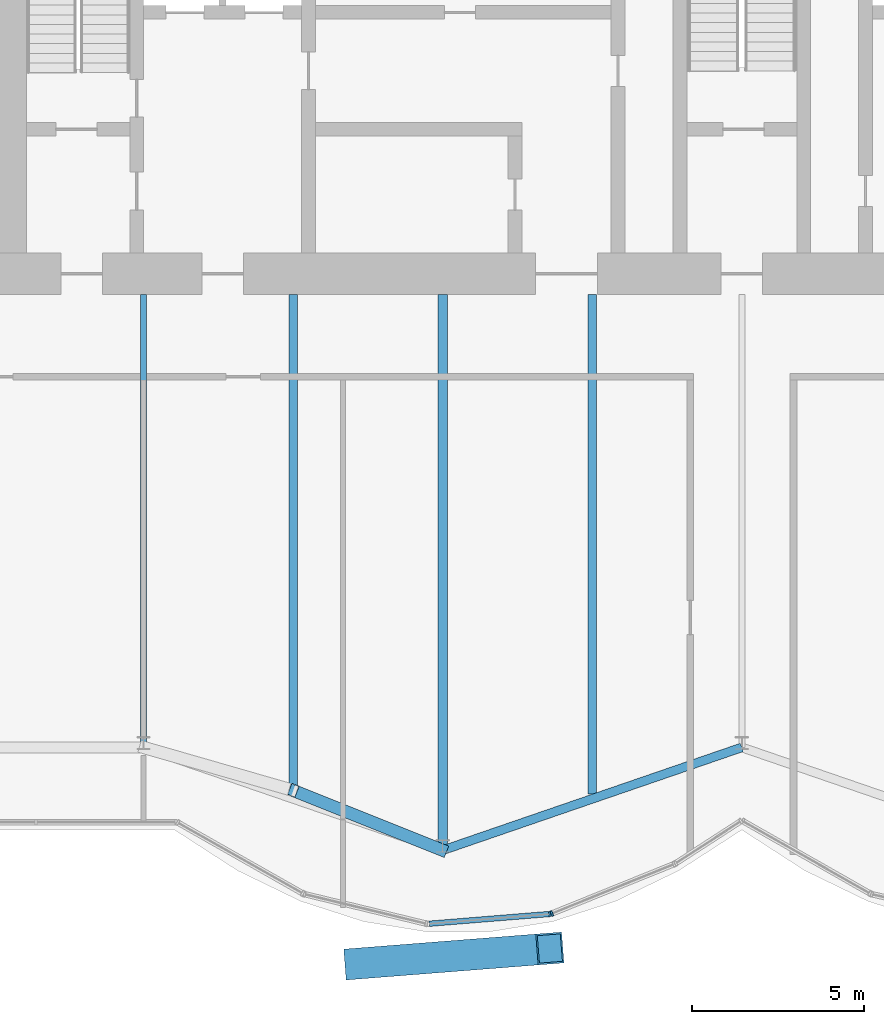
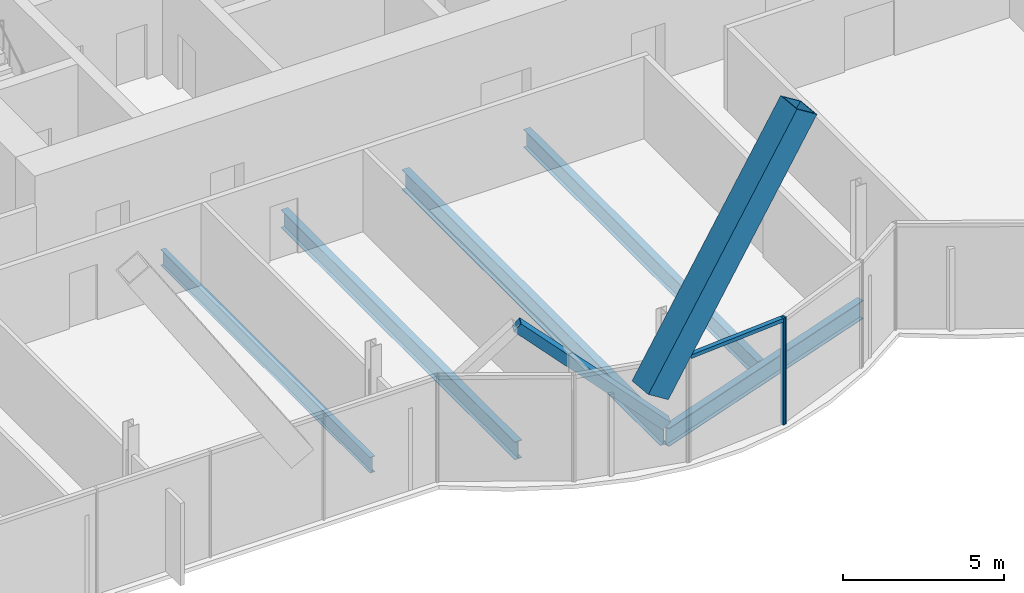
# One storey, part 6 of 19: 5 beams, 5 members, 1 element without a shape of its own.
"""IFC4 building model written with IfcOpenShell, lengths in metres."""

from ifc_helpers import new_model, si_unit, direction, frame, origin, origin_2d, place, context, subcontext, project, spatial, rectangle, hollow_rectangle, i_section, extrude, material, material_profile, profile_set, type_object, element, aggregate, save


model = new_model("IFC4")

# Units and contexts
model_context = context("Model", 3, precision=1e-05, world=origin(), true_north=direction((0.0, 1.0)))
body_context = subcontext(model_context, "Body", "Model", "MODEL_VIEW")
ifc_project = project(units=[si_unit("LENGTHUNIT", "METRE"), si_unit("AREAUNIT", "SQUARE_METRE"), si_unit("VOLUMEUNIT", "CUBIC_METRE"), si_unit("PLANEANGLEUNIT", "RADIAN"), si_unit("MASSUNIT", "GRAM", prefix="KILO")], contexts=[model_context])

# Site, building, storey
site_placement = place(None, origin())
site = spatial("IfcSite", under=ifc_project, at=site_placement, CompositionType="ELEMENT")
building_placement = place(site_placement, origin())
building = spatial("IfcBuilding", under=site, at=building_placement, Name="Bicima Exchange Tower", CompositionType="ELEMENT")
storey_placement = place(building_placement, frame((0.0, 0.0, 270.800048828125)))
storey = spatial("IfcBuildingStorey", under=building, at=storey_placement, Name="L61", CompositionType="ELEMENT", Elevation=270.800048828125)

# Member
ifc_material_1 = material(Name="Steel ASTM A572 Gr 50", Category="steel")
ifc_material_profile_1 = material_profile(ifc_material_1, hollow_rectangle(XDim=0.89990234375, YDim=0.89990234375, WallThickness=0.050048828125, at=origin_2d()))
ifc_profile_set_1 = profile_set([ifc_material_profile_1], Name="Steel ASTM A572 Gr 50")
member_type_1 = type_object("IfcMemberType", Name="Exo mega brace BOX 900x900x50", PredefinedType="BRACE", material=ifc_profile_set_1)
member_1_placement = place(storey_placement, frame((-11.166748046875, -32.466796875, 4.099853515625), z_axis=(0.544041908681, 0.042676483785, 0.837972027774), x_axis=(-0.078203138445, 0.996937444947, 0.0)))
element("IfcMember", 1, at=member_1_placement, inside=storey, type_object=member_type_1, Name="Exo mega brace front", PredefinedType="BRACE", context=body_context, shape_type="SweptSolid", body=[
    extrude(hollow_rectangle(XDim=0.89990234375, YDim=0.89990234375, WallThickness=0.050048828125, at=origin_2d()), origin(), (0.0, 0.0, 1.0), 10.262939453125),
])

# Beams
ifc_material_2 = material(Name="Steel ASTM A992 Gr 50", Category="steel")
ifc_material_profile_2 = material_profile(ifc_material_2, i_section(OverallWidth=0.177978515625, OverallDepth=0.599365234375, WebThickness=0.010009765625, FlangeThickness=0.012939453125, at=origin_2d()))
ifc_profile_set_2 = profile_set([ifc_material_profile_2], Name="Steel ASTM A992 Gr 50")
beam_type_1 = type_object("IfcBeamType", Name="Floor beam W24x55", PredefinedType="JOIST", material=ifc_profile_set_2)
beam_1_placement = place(storey_placement, frame((-17.39990234375, -13.0, -0.44970703125), z_axis=(0.0, -1.0, 0.0), x_axis=(1.0, 0.0, 0.0)))
element("IfcBeam", 2, at=beam_1_placement, inside=storey, type_object=beam_type_1, Name="Floor beam", PredefinedType="JOIST", context=body_context, shape_type="SweptSolid", body=[
    extrude(i_section(OverallWidth=0.177978515625, OverallDepth=0.599365234375, WebThickness=0.010009765625, FlangeThickness=0.012939453125, at=origin_2d()), origin(), (0.0, 0.0, 1.0), 13.017333984375),
])
ifc_material_profile_3 = material_profile(ifc_material_2, i_section(OverallWidth=0.25390625, OverallDepth=0.67822265625, WebThickness=0.01171875, FlangeThickness=0.016357421875, at=origin_2d()))
ifc_profile_set_3 = profile_set([ifc_material_profile_3], Name="Steel ASTM A992 Gr 50")
beam_type_2 = type_object("IfcBeamType", Name="Floor beam W27x84", PredefinedType="JOIST", material=ifc_profile_set_3)
for number, where, z_axis, x_axis, name in (
    (3, (-13.050048828125, -13.0, -0.4892578125), (0.0, -1.0, 0.0), (1.0, 0.0, 0.0), "Floor beam"),
    (4, (-4.35009765625, -13.0, -0.4892578125), (0.0, -1.0, 0.0), (1.0, 0.0, 0.0), "Floor beam"),
):
    element("IfcBeam", number, at=place(storey_placement, frame(where, z_axis=z_axis, x_axis=x_axis)), inside=storey, type_object=beam_type_2, Name=name, PredefinedType="JOIST", context=body_context, shape_type="SweptSolid", body=[
        extrude(i_section(OverallWidth=0.25390625, OverallDepth=0.67822265625, WebThickness=0.01171875, FlangeThickness=0.016357421875, at=origin_2d()), origin(), (0.0, 0.0, 1.0), 14.539794921875),
    ])
ifc_material_profile_4 = material_profile(ifc_material_2, i_section(OverallWidth=0.2666015625, OverallDepth=0.75439453125, WebThickness=0.01318359375, FlangeThickness=0.01708984375, at=origin_2d()))
ifc_profile_set_4 = profile_set([ifc_material_profile_4], Name="Steel ASTM A992 Gr 50")
beam_type_3 = type_object("IfcBeamType", Name="Floor beam W30x99", PredefinedType="JOIST", material=ifc_profile_set_4)
beam_2_placement = place(storey_placement, frame((-8.699951171875, -13.0, -0.52734375), z_axis=(0.0, -1.0, 0.0), x_axis=(1.0, 0.0, 0.0)))
element("IfcBeam", 5, at=beam_2_placement, inside=storey, type_object=beam_type_3, Name="Floor beam", PredefinedType="JOIST", context=body_context, shape_type="SweptSolid", body=[
    extrude(i_section(OverallWidth=0.2666015625, OverallDepth=0.75439453125, WebThickness=0.01318359375, FlangeThickness=0.01708984375, at=origin_2d()), origin(), (0.0, 0.0, 1.0), 16.035400390625),
])
ifc_material_profile_5 = material_profile(ifc_material_2, i_section(OverallWidth=0.256591796875, OverallDepth=0.693359375, WebThickness=0.014404296875, FlangeThickness=0.023681640625, at=origin_2d()))
ifc_profile_set_5 = profile_set([ifc_material_profile_5], Name="Steel ASTM A992 Gr 50")
beam_type_4 = type_object("IfcBeamType", Name="Front girder W27x114", PredefinedType="BEAM", material=ifc_profile_set_5)
beam_3_placement = place(storey_placement, frame((-8.699951171875, -29.171142578125, -0.496826171875), z_axis=(0.945666456746, 0.325138359143, 0.0), x_axis=(-0.325138359143, 0.945666456746, 0.0)))
element("IfcBeam", 6, at=beam_3_placement, inside=storey, type_object=beam_type_4, Name="Front girder", PredefinedType="BEAM", context=body_context, shape_type="SweptSolid", body=[
    extrude(i_section(OverallWidth=0.256591796875, OverallDepth=0.693359375, WebThickness=0.014404296875, FlangeThickness=0.023681640625, at=origin_2d()), origin(), (0.0, 0.0, 1.0), 9.19970703125),
])

# Curtain wall, members
ifc_material_3 = material(Name="Anodised bronze aluminium", Category="aluminium")
curtain_wall_type = type_object("IfcCurtainWallType", Name="Front glass wall", PredefinedType="NOTDEFINED", material=ifc_material_3)
curtain_wall_placement = place(storey_placement, origin())
curtain_wall = element("IfcCurtainWall", 7, at=curtain_wall_placement, inside=storey, type_object=curtain_wall_type, Name="Front glass wall L61 run 6", PredefinedType="NOTDEFINED")
ifc_material_profile_6 = material_profile(ifc_material_3, rectangle(XDim=0.159912109375, YDim=0.06005859375, at=origin_2d()))
ifc_profile_set_6 = profile_set([ifc_material_profile_6], Name="Anodised bronze aluminium")
member_type_2 = type_object("IfcMemberType", Name="Front glass wall mullion 60 x 160", PredefinedType="MULLION", material=ifc_profile_set_6)
member_2_placement = place(storey_placement, frame((-5.583984375, -31.02490234375, 0.0), z_axis=(0.0, 0.0, 1.0), x_axis=(-0.080588612633, 0.99674744821, 0.0)))
member_2 = element("IfcMember", 8, at=member_2_placement, type_object=member_type_2, Name="Front glass wall mullion 2", PredefinedType="MULLION", context=body_context, shape_type="SweptSolid", body=[
    extrude(rectangle(XDim=0.159912109375, YDim=0.06005859375, at=origin_2d()), origin(), (0.0, 0.0, 1.0), 4.050048828125),
])
member_3_placement = place(storey_placement, frame((-5.526123046875, -31.01123046875, 0.0), z_axis=(0.0, 0.0, 1.0), x_axis=(-0.374705304, 0.92714396679, 0.0)))
member_3 = element("IfcMember", 9, at=member_3_placement, type_object=member_type_2, Name="Front glass wall mullion 1", PredefinedType="MULLION", context=body_context, shape_type="SweptSolid", body=[
    extrude(rectangle(XDim=0.159912109375, YDim=0.06005859375, at=origin_2d()), origin(), (0.0, 0.0, 1.0), 4.050048828125),
])
ifc_material_profile_7 = material_profile(ifc_material_3, rectangle(XDim=0.159912109375, YDim=0.139892578125, at=origin_2d()))
ifc_profile_set_7 = profile_set([ifc_material_profile_7], Name="Anodised bronze aluminium")
member_type_3 = type_object("IfcMemberType", Name="Front glass wall transom 140 x 160", PredefinedType="USERDEFINED", material=ifc_profile_set_7)
member_4_placement = place(storey_placement, frame((-9.08837890625, -31.30810546875, 3.97998046875), z_axis=(0.9967456465, 0.080610893699, 0.0), x_axis=(-0.080610893699, 0.9967456465, 0.0)))
member_4 = element("IfcMember", 10, at=member_4_placement, type_object=member_type_3, Name="Front glass wall transom 1.1", ObjectType="TRANSOM", PredefinedType="USERDEFINED", context=body_context, shape_type="SweptSolid", body=[
    extrude(rectangle(XDim=0.159912109375, YDim=0.139892578125, at=origin_2d()), origin(), (0.0, 0.0, 1.0), 3.48583984375),
])
aggregate(curtain_wall, [member_2, member_4, member_3])

# Member
ifc_material_profile_8 = material_profile(ifc_material_1, hollow_rectangle(XDim=0.355712890625, YDim=0.355712890625, WallThickness=0.0146484375, at=origin_2d()))
ifc_profile_set_8 = profile_set([ifc_material_profile_8], Name="Steel ASTM A572 Gr 50")
member_type_4 = type_object("IfcMemberType", Name="Mega brace HSS14x14x5/8", PredefinedType="BRACE", material=ifc_profile_set_8)
member_5_placement = place(storey_placement, frame((-8.699951171875, -29.171142578125, 0.0), z_axis=(-0.691366198874, 0.276499917677, 0.667503239377), x_axis=(-0.3713367687, -0.928498252132, 0.0)))
element("IfcMember", 11, at=member_5_placement, inside=storey, type_object=member_type_4, Name="Mega brace front", PredefinedType="BRACE", context=body_context, shape_type="SweptSolid", body=[
    extrude(hollow_rectangle(XDim=0.355712890625, YDim=0.355712890625, WallThickness=0.0146484375, at=origin_2d()), origin(), (0.0, 0.0, 1.0), 6.2919921875),
])

save(model, "model.ifc")
